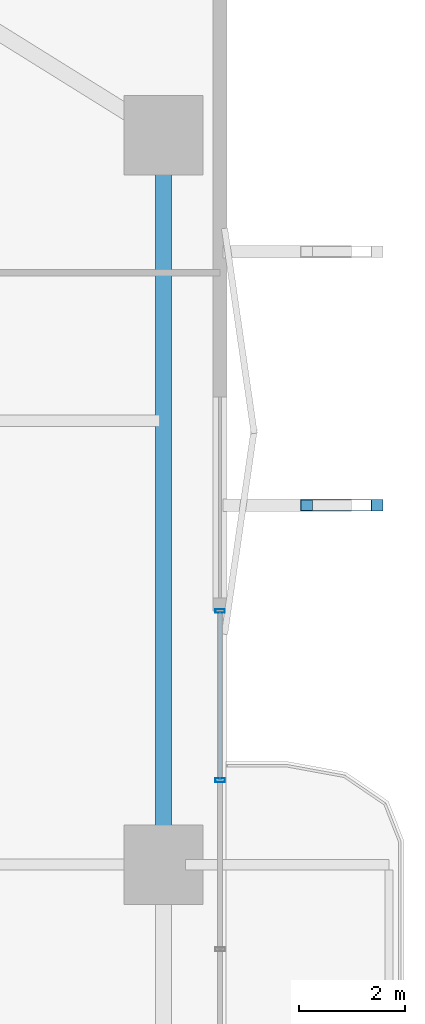
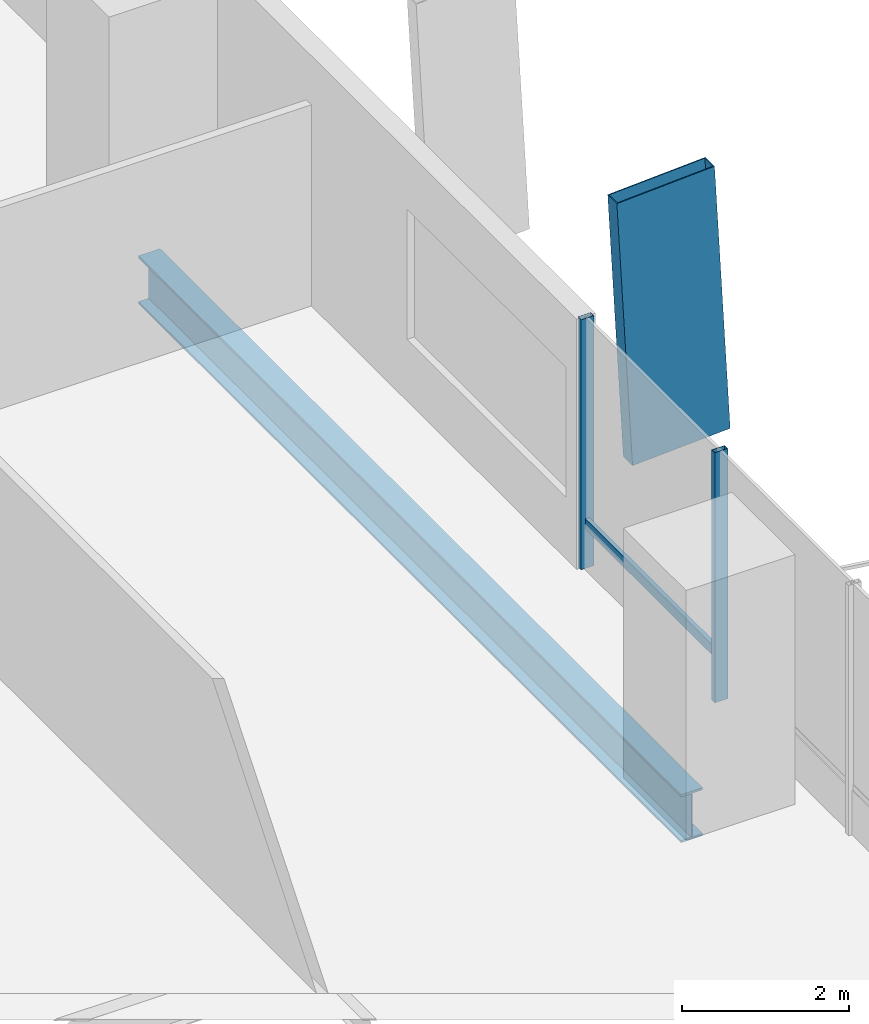
# One storey, part 13 of 23: 4 members, 1 beam, 1 element without a shape of its own.
"""IFC4 building model written with IfcOpenShell, lengths in metres."""

from ifc_helpers import new_model, si_unit, direction, frame, origin, origin_2d, place, context, subcontext, project, spatial, hollow_rectangle, i_section, extrude, material, layer, layer_set, material_profile, profile_set, type_object, element, aggregate, save


model = new_model("IFC4")

# Units and contexts
model_context = context("Model", 3, precision=1e-05, world=origin(), true_north=direction((0.0, 1.0)))
body_context = subcontext(model_context, "Body", "Model", "MODEL_VIEW")
ifc_project = project(units=[si_unit("LENGTHUNIT", "METRE"), si_unit("AREAUNIT", "SQUARE_METRE"), si_unit("VOLUMEUNIT", "CUBIC_METRE"), si_unit("PLANEANGLEUNIT", "RADIAN"), si_unit("MASSUNIT", "GRAM", prefix="KILO")], contexts=[model_context])

# Site, building, storey
site_placement = place(None, origin())
site = spatial("IfcSite", under=ifc_project, at=site_placement, CompositionType="ELEMENT")
building_placement = place(site_placement, origin())
building = spatial("IfcBuilding", under=site, at=building_placement, Name="Belovzor Exchange Tower", CompositionType="ELEMENT")
storey_placement = place(building_placement, frame((0.0, 0.0, 53.39990234375)))
storey = spatial("IfcBuildingStorey", under=building, at=storey_placement, Name="L12", CompositionType="ELEMENT", Elevation=53.39990234375)

# Member
ifc_material_1 = material(Name="Extruded Architectural Terracotta on Steel S355 Carrier", Category="masonry")
ifc_material_profile_1 = material_profile(ifc_material_1, hollow_rectangle(XDim=0.219970703125, YDim=1.35009765625, WallThickness=0.013916015625, at=origin_2d()))
ifc_profile_set_1 = profile_set([ifc_material_profile_1], Name="Extruded Architectural Terracotta on Steel S355 Carrier")
member_type_1 = type_object("IfcMemberType", Name="Base Arc Sweeping Terracotta Pylon Fin 1450", PredefinedType="USERDEFINED", material=ifc_profile_set_1)
member_1_placement = place(storey_placement, frame((58.97900390625, 35.60009765625, -0.25), z_axis=(-0.055314244803, 0.0, 0.998468995173), x_axis=(0.0, -1.0, 0.0)))
element("IfcMember", 1, at=member_1_placement, inside=storey, type_object=member_type_1, Name="FIN-TC145 Terracotta Facade Fin L12 E3", ObjectType="FIN", PredefinedType="USERDEFINED", context=body_context, shape_type="SweptSolid", body=[
    extrude(hollow_rectangle(XDim=0.219970703125, YDim=1.35009765625, WallThickness=0.013916015625, at=origin_2d()), origin(), (0.0, 0.0, 1.0), 3.906005859375),
])

# Curtain wall, members
ifc_material_2 = material(Name="Anodised Aluminium Framing", Category="aluminium")
ifc_layer = layer(ifc_material_2, 0.179931640625)
ifc_layer_set = layer_set([ifc_layer], Name="Anodised Aluminium Framing")
curtain_wall_type = type_object("IfcCurtainWallType", Name="Recessed Loggia Low-Iron Triple-Glazed Curtain Wall", PredefinedType="NOTDEFINED", material=ifc_layer_set)
curtain_wall_placement = place(storey_placement, origin())
curtain_wall = element("IfcCurtainWall", 2, at=curtain_wall_placement, inside=storey, type_object=curtain_wall_type, Name="CW3 Recessed Loggia Low-Iron Triple-Glazed Curtain Wall L12", PredefinedType="NOTDEFINED")
ifc_material_3 = material(Name="Steel S355", Category="steel")
ifc_material_profile_2 = material_profile(ifc_material_3, hollow_rectangle(XDim=0.074951171875, YDim=0.179931640625, WallThickness=0.0048828125, at=origin_2d()))
ifc_profile_set_2 = profile_set([ifc_material_profile_2], Name="Steel S355")
member_type_2 = type_object("IfcMemberType", Name="Thermally Broken Curtain Wall Mullion 180x75", PredefinedType="MULLION", material=ifc_profile_set_2)
member_2_placement = place(storey_placement, frame((56.570068359375, 33.60009765625, 0.0), z_axis=(0.0, 0.0, 1.0), x_axis=(0.0, -1.0, 0.0)))
member_2 = element("IfcMember", 3, at=member_2_placement, type_object=member_type_2, Name="CW-M180 Curtain Wall Mullion 1", PredefinedType="MULLION", context=body_context, shape_type="SweptSolid", body=[
    extrude(hollow_rectangle(XDim=0.074951171875, YDim=0.179931640625, WallThickness=0.0048828125, at=origin_2d()), origin(), (0.0, 0.0, 1.0), 3.650146484375),
])
member_3_placement = place(storey_placement, frame((56.570068359375, 30.39990234375, 0.0), z_axis=(0.0, 0.0, 1.0), x_axis=(0.0, -1.0, 0.0)))
member_3 = element("IfcMember", 4, at=member_3_placement, type_object=member_type_2, Name="CW-M180 Curtain Wall Mullion 2", PredefinedType="MULLION", context=body_context, shape_type="SweptSolid", body=[
    extrude(hollow_rectangle(XDim=0.074951171875, YDim=0.179931640625, WallThickness=0.0048828125, at=origin_2d()), origin(), (0.0, 0.0, 1.0), 3.650146484375),
])
ifc_material_4 = material(Name="Steel S355", Category="steel")
ifc_material_profile_3 = material_profile(ifc_material_4, hollow_rectangle(XDim=0.06005859375, YDim=0.14990234375, WallThickness=0.00390625, at=origin_2d()))
ifc_profile_set_3 = profile_set([ifc_material_profile_3], Name="Steel S355")
member_type_3 = type_object("IfcMemberType", Name="Thermally Broken Curtain Wall Transom 150x60", PredefinedType="USERDEFINED", material=ifc_profile_set_3)
member_4_placement = place(storey_placement, frame((56.570068359375, 33.592041015625, 0.650146484375), z_axis=(0.0, -1.0, 0.0), x_axis=(1.0, 0.0, 0.0)))
member_4 = element("IfcMember", 5, at=member_4_placement, type_object=member_type_3, Name="CW-T150 Curtain Wall Transom 1", ObjectType="TRANSOM", PredefinedType="USERDEFINED", context=body_context, shape_type="SweptSolid", body=[
    extrude(hollow_rectangle(XDim=0.06005859375, YDim=0.14990234375, WallThickness=0.00390625, at=origin_2d()), origin(), (0.0, 0.0, 1.0), 3.18408203125),
])
aggregate(curtain_wall, [member_2, member_3, member_4])

# Beam
ifc_material_5 = material(Name="Steel S355", Category="steel")
ifc_material_profile_4 = material_profile(ifc_material_5, i_section(OverallWidth=0.300048828125, OverallDepth=0.699951171875, WebThickness=0.01708984375, FlangeThickness=0.031982421875, at=origin_2d()))
ifc_profile_set_4 = profile_set([ifc_material_profile_4], Name="Steel S355")
beam_type = type_object("IfcBeamType", Name="Zone 1 Primary Perimeter Girder HEB 700", PredefinedType="BEAM", material=ifc_profile_set_4)
beam_placement = place(storey_placement, frame((55.5, 29.212890625, -0.599853515625), z_axis=(0.0, 1.0, 0.0), x_axis=(-1.0, 0.0, 0.0)))
element("IfcBeam", 6, at=beam_placement, inside=storey, type_object=beam_type, Name="FG-Z1 Zone 1 Primary Perimeter Girder HEB 700", PredefinedType="BEAM", context=body_context, shape_type="SweptSolid", body=[
    extrude(i_section(OverallWidth=0.300048828125, OverallDepth=0.699951171875, WebThickness=0.01708984375, FlangeThickness=0.031982421875, at=origin_2d()), origin(), (0.0, 0.0, 1.0), 12.97509765625),
])

save(model, "model.ifc")
